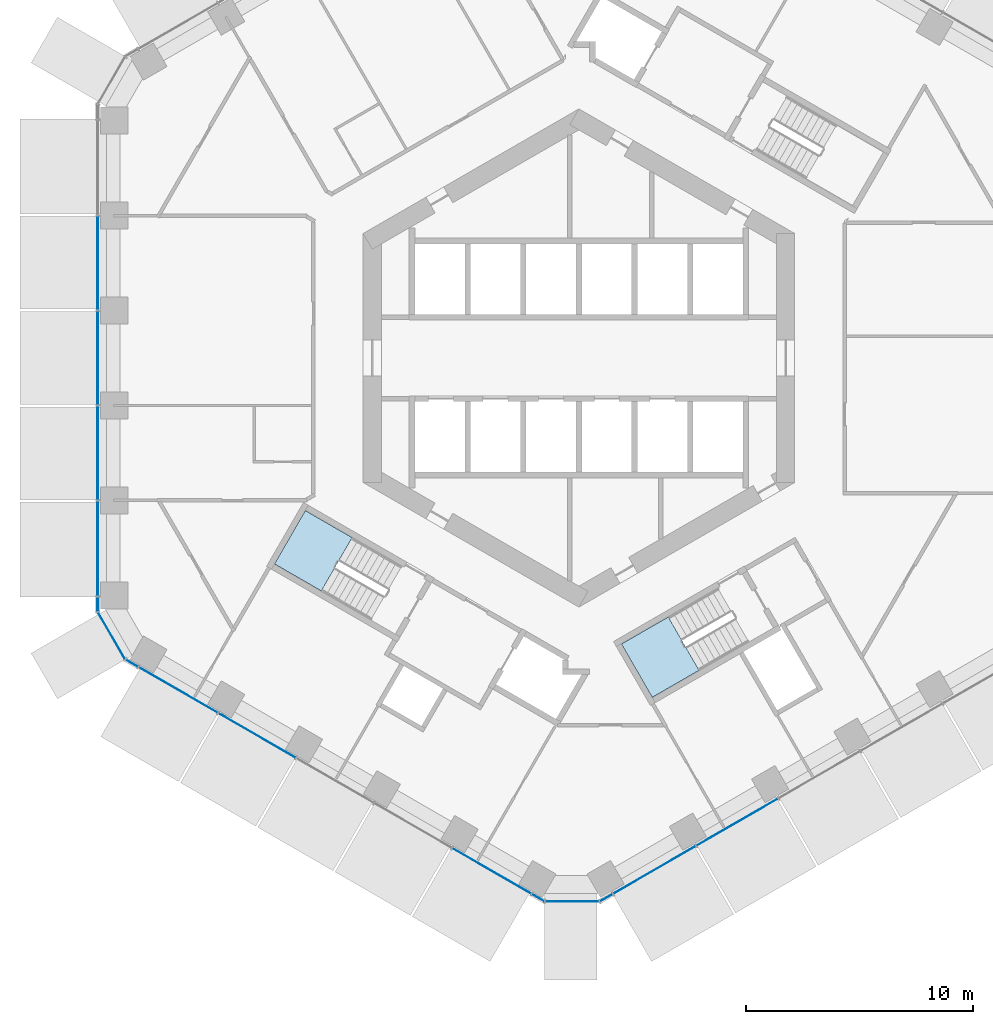
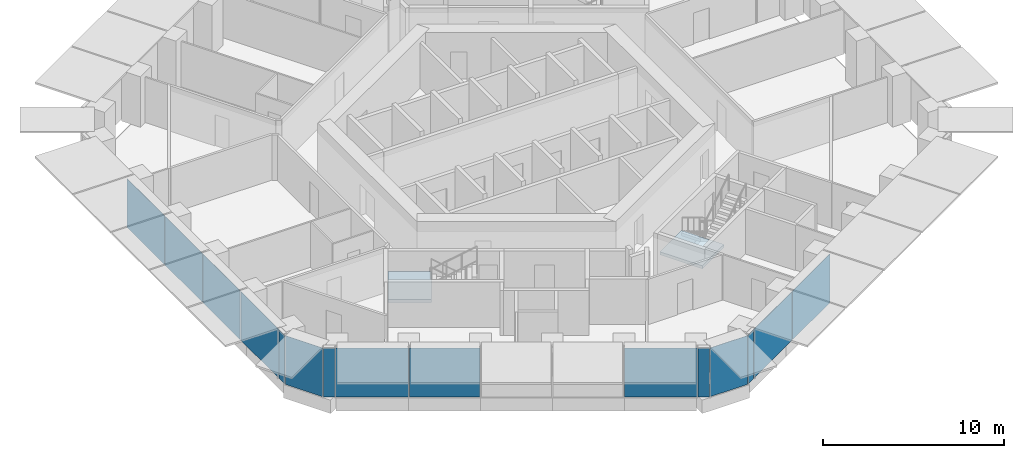
# One storey, part 8 of 19: 15 plates, 2 slabs, 7 elements without a shape of their own.
"""IFC4 building model written with IfcOpenShell, lengths in metres."""

from ifc_helpers import new_model, si_unit, direction, frame, origin, origin_2d, place, context, subcontext, project, spatial, polyline, rectangle, outline, extrude, material, layer, layer_set, type_object, element, aggregate, save


model = new_model("IFC4")

# Units and contexts
model_context = context("Model", 3, precision=1e-05, world=origin(), true_north=direction((0.0, 1.0)))
body_context = subcontext(model_context, "Body", "Model", "MODEL_VIEW")
ifc_project = project(units=[si_unit("LENGTHUNIT", "METRE"), si_unit("AREAUNIT", "SQUARE_METRE"), si_unit("VOLUMEUNIT", "CUBIC_METRE"), si_unit("PLANEANGLEUNIT", "RADIAN"), si_unit("MASSUNIT", "GRAM", prefix="KILO")], contexts=[model_context])

# Site, building, storey
site_placement = place(None, origin())
site = spatial("IfcSite", under=ifc_project, at=site_placement, CompositionType="ELEMENT")
building_placement = place(site_placement, origin())
building = spatial("IfcBuilding", under=site, at=building_placement, Name="Ayvan Gate Tower", CompositionType="ELEMENT")
storey_placement = place(building_placement, frame((0.0, 0.0, 42.5)))
storey = spatial("IfcBuildingStorey", under=building, at=storey_placement, Name="L10", CompositionType="ELEMENT", Elevation=42.5)

# Stair, slab
ifc_material_1 = material(Name="Concrete C40/50", Category="concrete")
stair_type = type_object("IfcStairType", Name="ST-EXIT", PredefinedType="HALF_TURN_STAIR", material=ifc_material_1)
stair_1_placement = place(storey_placement, origin())
stair_1 = element("IfcStair", 1, at=stair_1_placement, inside=storey, type_object=stair_type, Name="L10 Exit Stair S2", PredefinedType="HALF_TURN_STAIR")
ifc_layer_1 = layer(ifc_material_1, 0.199951171875)
ifc_layer_set_1 = layer_set([ifc_layer_1], Name="Concrete C40/50")
slab_type = type_object("IfcSlabType", Name="SL-LANDING-200", PredefinedType="LANDING", material=ifc_layer_set_1)
slab_1_placement = place(storey_placement, frame((0.0, 0.0, 1.5)))
slab_1 = element("IfcSlab", 2, at=slab_1_placement, type_object=slab_type, Name="STS2 landing 1", PredefinedType="LANDING", context=body_context, shape_type="SweptSolid", body=[
    extrude(outline(polyline([(-9.988525390625, -7.91064453125), (-12.049560546875, -6.720458984375), (-13.404541015625, -9.0673828125), (-11.343505859375, -10.257568359375), (-9.988525390625, -7.91064453125)])), origin(), (0.0, 0.0, 1.0), 0.199951171875),
])
aggregate(stair_1, [slab_1])

stair_2_placement = place(storey_placement, origin())
stair_2 = element("IfcStair", 3, at=stair_2_placement, inside=storey, type_object=stair_type, Name="L10 Exit Stair S3", PredefinedType="HALF_TURN_STAIR")
slab_2_placement = place(storey_placement, frame((0.0, 0.0, 1.5)))
slab_2 = element("IfcSlab", 4, at=slab_2_placement, type_object=slab_type, Name="STS3 landing 1", PredefinedType="LANDING", context=body_context, shape_type="SweptSolid", body=[
    extrude(outline(polyline([(3.93505859375, -11.405517578125), (1.873779296875, -12.595458984375), (3.228759765625, -14.9423828125), (5.2900390625, -13.75244140625), (3.93505859375, -11.405517578125)])), origin(), (0.0, 0.0, 1.0), 0.199951171875),
])
aggregate(stair_2, [slab_2])

# Curtain wall, plates
ifc_material_2 = material(Name="Bronze anodised aluminium", Category="aluminium")
ifc_layer_2 = layer(ifc_material_2, 0.199951171875)
ifc_layer_set_2 = layer_set([ifc_layer_2], Name="Bronze anodised aluminium")
curtain_wall_type_1 = type_object("IfcCurtainWallType", Name="Stick curtain wall CW-1", PredefinedType="NOTDEFINED", material=ifc_layer_set_2)
curtain_wall_1_placement = place(storey_placement, origin())
curtain_wall_1 = element("IfcCurtainWall", 5, at=curtain_wall_1_placement, inside=storey, type_object=curtain_wall_type_1, Name="Stick curtain wall CW-1 L10", PredefinedType="NOTDEFINED")
ifc_material_3 = material(Name="Clear low-iron laminated glass", Category="glass")
ifc_layer_3 = layer(ifc_material_3, 0.028076171875)
ifc_layer_set_3 = layer_set([ifc_layer_3], Name="Clear low-iron laminated glass")
plate_type_1 = type_object("IfcPlateType", Name="Stick curtain wall CW-1 glass panel", PredefinedType="CURTAIN_PANEL", material=ifc_layer_set_3)
plate_1_placement = place(storey_placement, frame((-21.18798828125, 4.182373046875, 0.0), z_axis=(0.0, 0.0, 1.0), x_axis=(0.0, -1.0, 0.0)))
plate_1 = element("IfcPlate", 6, at=plate_1_placement, type_object=plate_type_1, Name="CW-1 glass panel 2", PredefinedType="CURTAIN_PANEL", context=body_context, shape_type="SweptSolid", body=[
    extrude(rectangle(XDim=4.1220703125, YDim=0.028076171875, at=origin_2d()), origin(), (0.0, 0.0, 1.0), 3.280029296875),
])
plate_2_placement = place(storey_placement, frame((-21.18798828125, 0.0, 0.0), z_axis=(0.0, 0.0, 1.0), x_axis=(0.0, -1.0, 0.0)))
plate_2 = element("IfcPlate", 7, at=plate_2_placement, type_object=plate_type_1, Name="CW-1 glass panel 3", PredefinedType="CURTAIN_PANEL", context=body_context, shape_type="SweptSolid", body=[
    extrude(rectangle(XDim=4.123046875, YDim=0.028076171875, at=origin_2d()), origin(), (0.0, 0.0, 1.0), 3.280029296875),
])
plate_3_placement = place(storey_placement, frame((-21.18798828125, -4.1826171875, 0.0), z_axis=(0.0, 0.0, 1.0), x_axis=(0.0, -1.0, 0.0)))
plate_3 = element("IfcPlate", 8, at=plate_3_placement, type_object=plate_type_1, Name="CW-1 glass panel 4", PredefinedType="CURTAIN_PANEL", context=body_context, shape_type="SweptSolid", body=[
    extrude(rectangle(XDim=4.1220703125, YDim=0.028076171875, at=origin_2d()), origin(), (0.0, 0.0, 1.0), 3.280029296875),
])
plate_4_placement = place(storey_placement, frame((-21.18798828125, -8.402587890625, 0.0), z_axis=(0.0, 0.0, 1.0), x_axis=(0.0, -1.0, 0.0)))
plate_4 = element("IfcPlate", 9, at=plate_4_placement, type_object=plate_type_1, Name="CW-1 glass panel 5", PredefinedType="CURTAIN_PANEL", context=body_context, shape_type="SweptSolid", body=[
    extrude(rectangle(XDim=4.19775390625, YDim=0.028076171875, at=origin_2d()), origin(), (0.0, 0.0, 1.0), 3.280029296875),
])
aggregate(curtain_wall_1, [plate_1, plate_2, plate_3, plate_4])

curtain_wall_2_placement = place(storey_placement, origin())
curtain_wall_2 = element("IfcCurtainWall", 10, at=curtain_wall_2_placement, inside=storey, type_object=curtain_wall_type_1, Name="Stick curtain wall CW-1 L10", PredefinedType="NOTDEFINED")
plate_5_placement = place(storey_placement, frame((-17.649658203125, -14.6181640625, 0.0), z_axis=(0.0, 0.0, 1.0), x_axis=(0.866025403784, -0.5, 0.0)))
plate_5 = element("IfcPlate", 11, at=plate_5_placement, type_object=plate_type_1, Name="CW-1 glass panel 1", PredefinedType="CURTAIN_PANEL", context=body_context, shape_type="SweptSolid", body=[
    extrude(rectangle(XDim=4.02294921875, YDim=0.028076171875, at=origin_2d()), origin(), (0.0, 0.0, 1.0), 3.280029296875),
])
plate_6_placement = place(storey_placement, frame((-14.168701171875, -16.6279296875, 0.0), z_axis=(0.0, 0.0, 1.0), x_axis=(0.866025403784, -0.5, 0.0)))
plate_6 = element("IfcPlate", 12, at=plate_6_placement, type_object=plate_type_1, Name="CW-1 glass panel 2", PredefinedType="CURTAIN_PANEL", context=body_context, shape_type="SweptSolid", body=[
    extrude(rectangle(XDim=3.89599609375, YDim=0.028076171875, at=origin_2d()), origin(), (0.0, 0.0, 1.0), 3.280029296875),
])
plate_7_placement = place(storey_placement, frame((-3.8349609375, -22.59423828125, 0.0), z_axis=(0.0, 0.0, 1.0), x_axis=(0.866025403784, -0.5, 0.0)))
plate_7 = element("IfcPlate", 13, at=plate_7_placement, type_object=plate_type_1, Name="CW-1 glass panel 5", PredefinedType="CURTAIN_PANEL", context=body_context, shape_type="SweptSolid", body=[
    extrude(rectangle(XDim=4.02294921875, YDim=0.028076171875, at=origin_2d()), origin(), (0.0, 0.0, 1.0), 3.280029296875),
])
aggregate(curtain_wall_2, [plate_5, plate_6, plate_7])

curtain_wall_3_placement = place(storey_placement, origin())
curtain_wall_3 = element("IfcCurtainWall", 14, at=curtain_wall_3_placement, inside=storey, type_object=curtain_wall_type_1, Name="Stick curtain wall CW-1 L10", PredefinedType="NOTDEFINED")
plate_8_placement = place(storey_placement, frame((3.317138671875, -22.550537109375, 0.0), z_axis=(0.0, 0.0, 1.0), x_axis=(0.866025403784, 0.5, 0.0)))
plate_8 = element("IfcPlate", 15, at=plate_8_placement, type_object=plate_type_1, Name="CW-1 glass panel 1", PredefinedType="CURTAIN_PANEL", context=body_context, shape_type="SweptSolid", body=[
    extrude(rectangle(XDim=4.197998046875, YDim=0.028076171875, at=origin_2d()), origin(), (0.0, 0.0, 1.0), 3.280029296875),
])
plate_9_placement = place(storey_placement, frame((6.971923828125, -20.4404296875, 0.0), z_axis=(0.0, 0.0, 1.0), x_axis=(0.866025403784, 0.5, 0.0)))
plate_9 = element("IfcPlate", 16, at=plate_9_placement, type_object=plate_type_1, Name="CW-1 glass panel 2", PredefinedType="CURTAIN_PANEL", context=body_context, shape_type="SweptSolid", body=[
    extrude(rectangle(XDim=4.1220703125, YDim=0.028076171875, at=origin_2d()), origin(), (0.0, 0.0, 1.0), 3.280029296875),
])
aggregate(curtain_wall_3, [plate_8, plate_9])

ifc_layer_4 = layer(ifc_material_2, 0.199951171875)
ifc_layer_set_4 = layer_set([ifc_layer_4], Name="Bronze anodised aluminium")
curtain_wall_type_2 = type_object("IfcCurtainWallType", Name="Stick curtain wall CW-6", PredefinedType="NOTDEFINED", material=ifc_layer_set_4)
curtain_wall_4_placement = place(storey_placement, origin())
curtain_wall_4 = element("IfcCurtainWall", 17, at=curtain_wall_4_placement, inside=storey, type_object=curtain_wall_type_2, Name="Stick curtain wall CW-6 L10", PredefinedType="NOTDEFINED")
ifc_layer_5 = layer(ifc_material_3, 0.028076171875)
ifc_layer_set_5 = layer_set([ifc_layer_5], Name="Clear low-iron laminated glass")
plate_type_2 = type_object("IfcPlateType", Name="Stick curtain wall CW-6 glass panel", PredefinedType="CURTAIN_PANEL", material=ifc_layer_set_5)
plate_10_placement = place(storey_placement, frame((-21.18798828125, -10.843994140625, 0.0), z_axis=(0.0, 0.0, 1.0), x_axis=(0.0, -1.0, 0.0)))
plate_10 = element("IfcPlate", 18, at=plate_10_placement, type_object=plate_type_2, Name="CW-6 glass panel 1", PredefinedType="CURTAIN_PANEL", context=body_context, shape_type="SweptSolid", body=[
    extrude(rectangle(XDim=0.625, YDim=0.028076171875, at=origin_2d()), origin(), (0.0, 0.0, 1.0), 3.280029296875),
])
plate_11_placement = place(storey_placement, frame((-20.584228515625, -12.22705078125, 0.0), z_axis=(0.0, 0.0, 1.0), x_axis=(0.5, -0.866025403784, 0.0)))
plate_11 = element("IfcPlate", 19, at=plate_11_placement, type_object=plate_type_2, Name="CW-6 glass panel 2", PredefinedType="CURTAIN_PANEL", context=body_context, shape_type="SweptSolid", body=[
    extrude(rectangle(XDim=2.364501953125, YDim=0.028076171875, at=origin_2d()), origin(), (0.0, 0.0, 1.0), 3.280029296875),
])
plate_12_placement = place(storey_placement, frame((-19.688232421875, -13.441162109375, 0.0), z_axis=(0.0, 0.0, 1.0), x_axis=(0.866025403784, -0.5, 0.0)))
plate_12 = element("IfcPlate", 20, at=plate_12_placement, type_object=plate_type_2, Name="CW-6 glass panel 3", PredefinedType="CURTAIN_PANEL", context=body_context, shape_type="SweptSolid", body=[
    extrude(rectangle(XDim=0.625, YDim=0.028076171875, at=origin_2d()), origin(), (0.0, 0.0, 1.0), 3.280029296875),
])
aggregate(curtain_wall_4, [plate_10, plate_11, plate_12])

curtain_wall_5_placement = place(storey_placement, origin())
curtain_wall_5 = element("IfcCurtainWall", 21, at=curtain_wall_5_placement, inside=storey, type_object=curtain_wall_type_2, Name="Stick curtain wall CW-6 L10", PredefinedType="NOTDEFINED")
plate_13_placement = place(storey_placement, frame((-1.79638671875, -23.771240234375, 0.0), z_axis=(0.0, 0.0, 1.0), x_axis=(0.866025403784, -0.5, 0.0)))
plate_13 = element("IfcPlate", 22, at=plate_13_placement, type_object=plate_type_2, Name="CW-6 glass panel 1", PredefinedType="CURTAIN_PANEL", context=body_context, shape_type="SweptSolid", body=[
    extrude(rectangle(XDim=0.625, YDim=0.028076171875, at=origin_2d()), origin(), (0.0, 0.0, 1.0), 3.280029296875),
])
plate_14_placement = place(storey_placement, frame((-0.296630859375, -23.93994140625, 0.0), z_axis=(0.0, 0.0, 1.0), x_axis=(1.0, 0.0, 0.0)))
plate_14 = element("IfcPlate", 23, at=plate_14_placement, type_object=plate_type_2, Name="CW-6 glass panel 2", PredefinedType="CURTAIN_PANEL", context=body_context, shape_type="SweptSolid", body=[
    extrude(rectangle(XDim=2.364501953125, YDim=0.028076171875, at=origin_2d()), origin(), (0.0, 0.0, 1.0), 3.280029296875),
])
plate_15_placement = place(storey_placement, frame((1.202880859375, -23.771240234375, 0.0), z_axis=(0.0, 0.0, 1.0), x_axis=(0.866025403784, 0.5, 0.0)))
plate_15 = element("IfcPlate", 24, at=plate_15_placement, type_object=plate_type_2, Name="CW-6 glass panel 3", PredefinedType="CURTAIN_PANEL", context=body_context, shape_type="SweptSolid", body=[
    extrude(rectangle(XDim=0.625, YDim=0.028076171875, at=origin_2d()), origin(), (0.0, 0.0, 1.0), 3.280029296875),
])
aggregate(curtain_wall_5, [plate_13, plate_14, plate_15])

save(model, "model.ifc")
